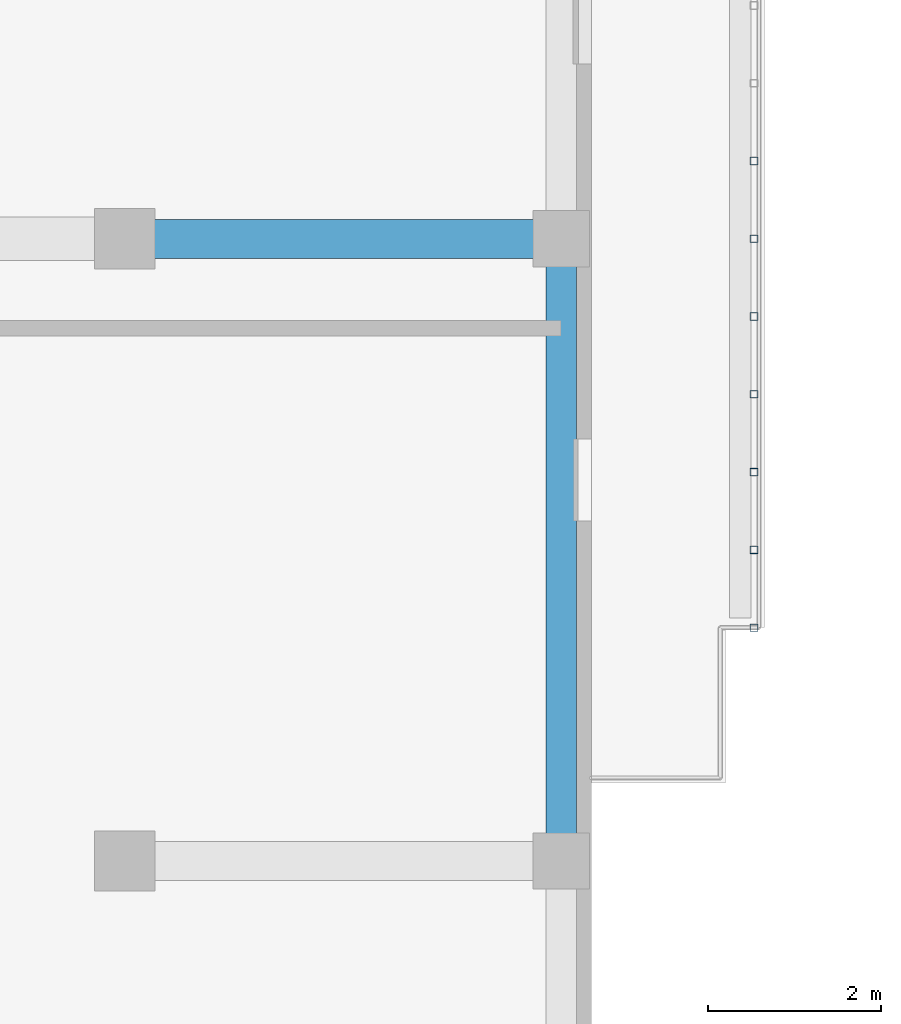
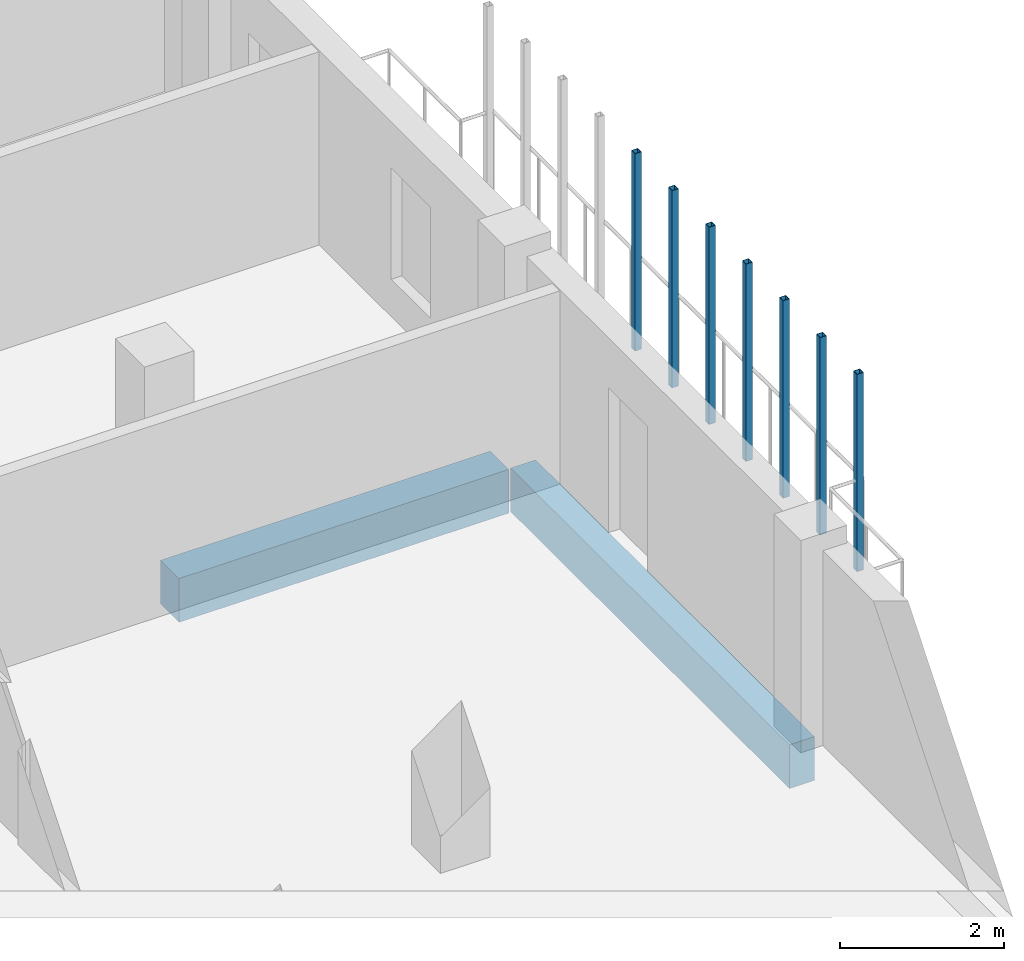
# One storey, part 2 of 51: 7 members, 2 beams.
"""IFC4 building model written with IfcOpenShell, lengths in metres."""

from ifc_helpers import new_model, si_unit, derived_unit, direction, frame, origin, origin_2d, place, context, subcontext, project, spatial, rectangle, hollow_rectangle, extrude, material, material_profile, profile_set, type_object, element, save


model = new_model("IFC4")

# Units and contexts
model_context = context("Model", 3, precision=1e-05, world=origin(), true_north=direction((0.0, 1.0)))
body_context = subcontext(model_context, "Body", "Model", "MODEL_VIEW")
ifc_project = project(units=[si_unit("LENGTHUNIT", "METRE"), si_unit("AREAUNIT", "SQUARE_METRE"), si_unit("VOLUMEUNIT", "CUBIC_METRE"), si_unit("PLANEANGLEUNIT", "RADIAN"), si_unit("MASSUNIT", "GRAM", prefix="KILO"), derived_unit("THERMALTRANSMITTANCEUNIT", [(si_unit("MASSUNIT", "GRAM", prefix="KILO"), 1), (si_unit("TIMEUNIT", "SECOND"), -3), (si_unit("THERMODYNAMICTEMPERATUREUNIT", "KELVIN"), -1)])], contexts=[model_context])

# Site, building, storey
site_placement = place(None, origin())
site = spatial("IfcSite", under=ifc_project, at=site_placement, CompositionType="ELEMENT")
building_placement = place(site_placement, origin())
building = spatial("IfcBuilding", under=site, at=building_placement, Name="Ochrekiln Boulevard Commons", CompositionType="ELEMENT")
storey_placement = place(building_placement, frame((0.0, 0.0, 18.375)))
storey = spatial("IfcBuildingStorey", under=building, at=storey_placement, Name="L05", CompositionType="ELEMENT", Elevation=18.375)

# Beam
ifc_material_1 = material(Name="Concrete C35/45", Category="concrete")
ifc_material_profile_1 = material_profile(ifc_material_1, rectangle(XDim=0.449951171875, YDim=0.64990234375, at=origin_2d()), Name="RC-BM-450x650")
ifc_profile_set_1 = profile_set([ifc_material_profile_1], Name="Concrete C35/45")
beam_type_1 = type_object("IfcBeamType", Name="BM-RC-450x650", PredefinedType="BEAM", material=ifc_profile_set_1)
beam_1_placement = place(storey_placement, frame((16.409912109375, 14.39990234375, -0.5849609375), z_axis=(1.0, 0.0, 0.0), x_axis=(0.0, 1.0, 0.0)))
element("IfcBeam", 1, at=beam_1_placement, inside=storey, type_object=beam_type_1, Name="Block D L05 Beam B-4565 X8", PredefinedType="BEAM", context=body_context, shape_type="SweptSolid", body=[
    extrude(rectangle(XDim=0.449951171875, YDim=0.64990234375, at=origin_2d()), origin(), (0.0, 0.0, 1.0), 4.630126953125),
])

# Members
ifc_material_2 = material(Name="Steel A500 Grade C", Category="steel")
ifc_material_profile_2 = material_profile(ifc_material_2, hollow_rectangle(XDim=0.090087890625, YDim=0.090087890625, WallThickness=0.00634765625, at=origin_2d()), Name="HSS90X90X6.4")
ifc_profile_set_2 = profile_set([ifc_material_profile_2], Name="Steel A500 Grade C")
member_type = type_object("IfcMemberType", Name="MEM-PST-HSS90", PredefinedType="POST", material=ifc_profile_set_2)
for number, where, z_axis, x_axis, name in (
    (2, (23.47998046875, 9.89990234375, 0.0), (0.0, 0.0, 1.0), (1.0, 0.0, 0.0), "Block D L05 Slim Vertical Balcony Post (375)"),
    (3, (23.47998046875, 10.800048828125, 0.0), (0.0, 0.0, 1.0), (1.0, 0.0, 0.0), "Block D L05 Slim Vertical Balcony Post (376)"),
    (4, (23.47998046875, 11.699951171875, 0.0), (0.0, 0.0, 1.0), (1.0, 0.0, 0.0), "Block D L05 Slim Vertical Balcony Post (377)"),
    (5, (23.47998046875, 12.60009765625, 0.0), (0.0, 0.0, 1.0), (1.0, 0.0, 0.0), "Block D L05 Slim Vertical Balcony Post (378)"),
    (6, (23.47998046875, 13.5, 0.0), (0.0, 0.0, 1.0), (1.0, 0.0, 0.0), "Block D L05 Slim Vertical Balcony Post (379)"),
    (7, (23.47998046875, 14.39990234375, 0.0), (0.0, 0.0, 1.0), (1.0, 0.0, 0.0), "Block D L05 Slim Vertical Balcony Post (380)"),
    (8, (23.47998046875, 15.300048828125, 0.0), (0.0, 0.0, 1.0), (1.0, 0.0, 0.0), "Block D L05 Slim Vertical Balcony Post (381)"),
):
    element("IfcMember", number, at=place(storey_placement, frame(where, z_axis=z_axis, x_axis=x_axis)), inside=storey, type_object=member_type, Name=name, PredefinedType="POST", context=body_context, shape_type="SweptSolid", body=[
        extrude(hollow_rectangle(XDim=0.090087890625, YDim=0.090087890625, WallThickness=0.00634765625, at=origin_2d()), origin(), (0.0, 0.0, 1.0), 2.929931640625),
    ])

# Beam
ifc_material_3 = material(Name="Concrete C40/50", Category="concrete")
ifc_material_profile_3 = material_profile(ifc_material_3, rectangle(XDim=0.35009765625, YDim=0.64990234375, at=origin_2d()), Name="RC-SPN-350x650")
ifc_profile_set_3 = profile_set([ifc_material_profile_3], Name="Concrete C40/50")
beam_type_2 = type_object("IfcBeamType", Name="SPN-RC-350x650", PredefinedType="SPANDREL", material=ifc_profile_set_3)
beam_2_placement = place(storey_placement, frame((21.25, 7.409912109375, -0.5849609375), z_axis=(0.0, 1.0, 0.0), x_axis=(-1.0, 0.0, 0.0)))
element("IfcBeam", 9, at=beam_2_placement, inside=storey, type_object=beam_type_2, Name="Block D L05 Beam SP-3565 Y31", PredefinedType="SPANDREL", context=body_context, shape_type="SweptSolid", body=[
    extrude(rectangle(XDim=0.35009765625, YDim=0.64990234375, at=origin_2d()), origin(), (0.0, 0.0, 1.0), 6.780029296875),
])

save(model, "model.ifc")
